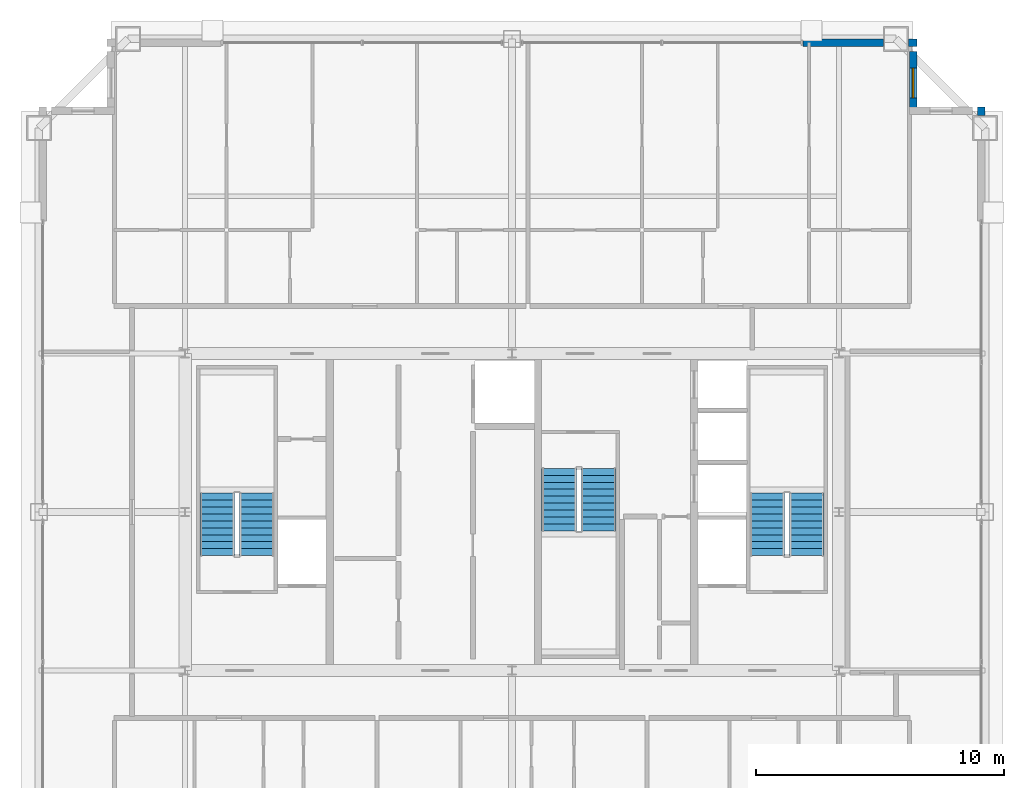
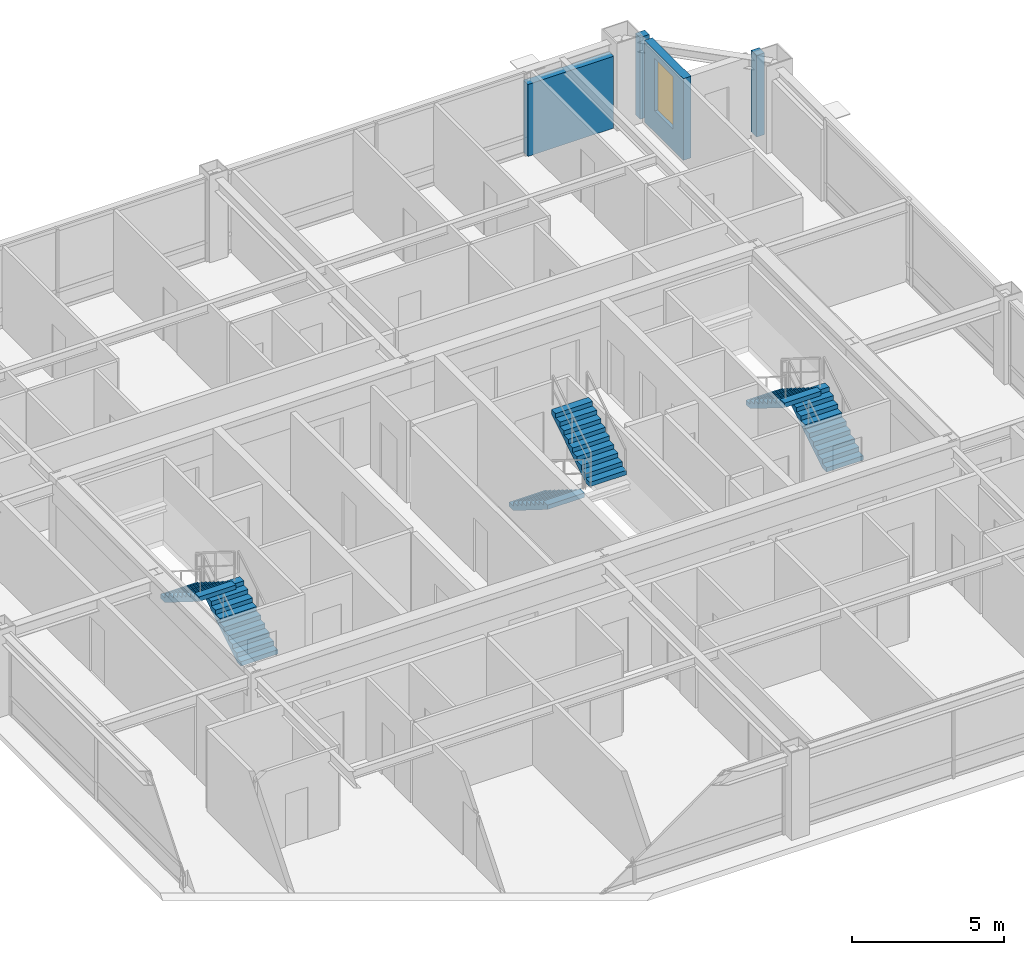
# One storey, part 34 of 35: 6 stair flights, 4 walls, 1 window, 1 opening, 3 elements without a shape of their own.
"""IFC4 building model written with IfcOpenShell, lengths in metres."""

import ifcopenshell
import ifcopenshell.guid

model = None  # the IFC model being written
_history = None  # IfcOwnerHistory: only IFC2X3 demands one
_inside = {}  # id of a spatial element -> (the spatial element, [elements in it])
_under = {}  # id of a project, library or spatial element -> (it, [spatial elements below it])
_declared = {}  # id of a project -> (the project, [libraries it declares])
_typed = {}  # id of a type object -> (the type object, [elements of that type])
_made_of = {}  # id of a material, layer set ... -> (it, [elements and type objects made of it])


def new_model(schema):
    """Start an empty IFC model of exactly this schema.

    Asked for "IFC4X3", IfcOpenShell would pick the latest addendum, in which some entities
    have other attributes; the version numbers below select the first issue.
    IFC2X3 requires an IfcOwnerHistory on every rooted entity: one is made here for all.
    """
    global model, _history
    if schema == "IFC4X3":
        model = ifcopenshell.file(schema_version=(4, 3, 0, 0))
    else:
        model = ifcopenshell.file(schema=schema)
    _inside.clear()
    _under.clear()
    _declared.clear()
    _typed.clear()
    _made_of.clear()
    _history = None
    if model.schema == "IFC2X3":
        org = make("IfcOrganization", Name="unknown")
        user = make(
            "IfcPersonAndOrganization",
            ThePerson=make("IfcPerson", FamilyName="unknown"),
            TheOrganization=org,
        )
        app = make(
            "IfcApplication",
            ApplicationDeveloper=org,
            Version="unknown",
            ApplicationFullName="unknown",
            ApplicationIdentifier="unknown",
        )
        _history = make(
            "IfcOwnerHistory",
            OwningUser=user,
            OwningApplication=app,
            ChangeAction="ADDED",
            CreationDate=0,
        )
    return model


def make(cls, **values):
    """One entity of the class cls with the attributes given. An attribute that is None is left unset."""
    return model.create_entity(
        cls, **{name: value for name, value in values.items() if value is not None}
    )


def rooted(cls, **values):
    """An entity with a GlobalId (a new one), such as an element, a storey or a relation."""
    return make(cls, GlobalId=ifcopenshell.guid.new(), OwnerHistory=_history, **values)


def si_unit(unit_type, name, prefix=None):
    """IfcSIUnit, for example si_unit("LENGTHUNIT", "METRE", prefix="MILLI")."""
    return make("IfcSIUnit", UnitType=unit_type, Prefix=prefix, Name=name)


def assignment(units):
    """IfcUnitAssignment: the units of a project."""
    return None if units is None else make("IfcUnitAssignment", Units=units)


def point(xyz):
    """IfcCartesianPoint."""
    return None if xyz is None else make("IfcCartesianPoint", Coordinates=xyz)


def direction(xyz):
    """IfcDirection."""
    return None if xyz is None else make("IfcDirection", DirectionRatios=xyz)


def frame(location, z_axis=None, x_axis=None):
    """IfcAxis2Placement3D, a coordinate frame: its origin and axes. An axis left out is left unset."""
    return make(
        "IfcAxis2Placement3D",
        Location=point(location),
        Axis=direction(z_axis),
        RefDirection=direction(x_axis),
    )


def frame_2d(location, x_axis=None):
    """IfcAxis2Placement2D, a coordinate frame in the plane: its origin and x axis."""
    return make(
        "IfcAxis2Placement2D", Location=point(location), RefDirection=direction(x_axis)
    )


def origin():
    """The frame at (0, 0, 0) with its axes left unset."""
    return frame((0.0, 0.0, 0.0))


def place(relative_to, where):
    """IfcLocalPlacement: puts the frame where relative to a parent placement (None: the world)."""
    return make(
        "IfcLocalPlacement", PlacementRelTo=relative_to, RelativePlacement=where
    )


def context(
    kind, dimensions, precision=None, world=None, true_north=None, identifier=None
):
    """IfcGeometricRepresentationContext, for example the 3D "Model" context."""
    return make(
        "IfcGeometricRepresentationContext",
        ContextIdentifier=identifier,
        ContextType=kind,
        CoordinateSpaceDimension=dimensions,
        Precision=precision,
        WorldCoordinateSystem=world,
        TrueNorth=true_north,
    )


def subcontext(parent, identifier, kind, view, scale=None):
    """IfcGeometricRepresentationSubContext, for example "Body" below "Model"."""
    return make(
        "IfcGeometricRepresentationSubContext",
        ContextIdentifier=identifier,
        ContextType=kind,
        ParentContext=parent,
        TargetScale=scale,
        TargetView=view,
    )


def project(units=None, contexts=None):
    """IfcProject with its units and contexts."""
    return rooted(
        "IfcProject",
        Name="project",
        RepresentationContexts=contexts,
        UnitsInContext=assignment(units),
    )


def spatial(cls, under=None, at=None, **own):
    """A site, building, storey or space (cls), placed at a placement, below another one or the project."""
    s = rooted(cls, ObjectPlacement=at, **own)
    if under is not None:
        _under.setdefault(under.id(), (under, []))[1].append(s)
    return s


def polyline(points):
    """IfcPolyline through the points."""
    return make("IfcPolyline", Points=[point(p) for p in points])


def profile(cls, at=None, kind="AREA", **sizes):
    """A parametric profile (cls). Its sizes go by their IFC names, for example OverallWidth=200.0."""
    return make(cls, ProfileType=kind, Position=at, **sizes)


def rectangle(**sizes):
    """IfcRectangleProfileDef."""
    return profile("IfcRectangleProfileDef", **sizes)


def outline(outer, holes=None, kind="AREA"):
    """IfcArbitraryClosedProfileDef: a profile drawn as a closed curve; with holes, ...WithVoids."""
    if holes is None:
        return make("IfcArbitraryClosedProfileDef", ProfileType=kind, OuterCurve=outer)
    return make(
        "IfcArbitraryProfileDefWithVoids",
        ProfileType=kind,
        OuterCurve=outer,
        InnerCurves=holes,
    )


def extrude(swept, where, along, depth):
    """IfcExtrudedAreaSolid: the profile swept, set in the frame where, extruded along a direction by depth."""
    return make(
        "IfcExtrudedAreaSolid",
        SweptArea=swept,
        Position=where,
        ExtrudedDirection=direction(along),
        Depth=depth,
    )


def shape(context_of_items, identifier, shape_type, items):
    """IfcShapeRepresentation: the items that make up one representation, for example the "Body"."""
    return make(
        "IfcShapeRepresentation",
        ContextOfItems=context_of_items,
        RepresentationIdentifier=identifier,
        RepresentationType=shape_type,
        Items=items,
    )


def source(mapping_origin, context_of_items, identifier, shape_type, items):
    """IfcRepresentationMap: a shape defined once, which mapped items show again and again."""
    return make(
        "IfcRepresentationMap",
        MappingOrigin=mapping_origin,
        MappedRepresentation=shape(context_of_items, identifier, shape_type, items),
    )


def transform(
    local_origin,
    x_axis=None,
    y_axis=None,
    z_axis=None,
    scale=None,
    scale2=None,
    scale3=None,
    uniform=True,
):
    """IfcCartesianTransformationOperator3D, or its non-uniform kind. x_axis, y_axis, z_axis: its Axis1, 2, 3."""
    if uniform:
        return make(
            "IfcCartesianTransformationOperator3D",
            Axis1=direction(x_axis),
            Axis2=direction(y_axis),
            LocalOrigin=point(local_origin),
            Scale=scale,
            Axis3=direction(z_axis),
        )
    return make(
        "IfcCartesianTransformationOperator3DnonUniform",
        Axis1=direction(x_axis),
        Axis2=direction(y_axis),
        LocalOrigin=point(local_origin),
        Scale=scale,
        Axis3=direction(z_axis),
        Scale2=scale2,
        Scale3=scale3,
    )


def mapped(mapping_source, mapping_target):
    """IfcMappedItem: shows the shape of a source again, moved by a transform."""
    return make(
        "IfcMappedItem", MappingSource=mapping_source, MappingTarget=mapping_target
    )


def material(Name=None, Category=None):
    """IfcMaterial."""
    return make("IfcMaterial", Name=Name, Category=Category)


def layer(
    of_material, thickness, ventilated=None, Name=None, Category=None, Priority=None
):
    """IfcMaterialLayer: one layer of a wall or slab, of a material (None: an air gap)."""
    return make(
        "IfcMaterialLayer",
        Material=of_material,
        LayerThickness=thickness,
        IsVentilated=ventilated,
        Name=Name,
        Category=Category,
        Priority=Priority,
    )


def layer_set(layers, Name=None):
    """IfcMaterialLayerSet."""
    return make("IfcMaterialLayerSet", MaterialLayers=layers, LayerSetName=Name)


def made_of(thing, what):
    """Note that an element or type object is made of a material, layer set ...; save() writes the relation."""
    if what is not None:
        _made_of.setdefault(what.id(), (what, []))[1].append(thing)
    return thing


def type_object(cls, material=None, **own):
    """A type object (cls), such as IfcWallType, which elements share."""
    return made_of(rooted(cls, **own), material)


def element(
    cls,
    number,
    at=None,
    inside=None,
    cuts=None,
    type_object=None,
    material=None,
    context=None,
    identifier="Body",
    shape_type=None,
    held_by="IfcProductDefinitionShape",
    body=None,
    shapes=None,
    **own,
):
    """One element of the class cls, such as IfcWall. Its Tag is "e" and its number.

    at: its placement. inside: the storey or other place that contains it. cuts: it is an
    opening in that element (IfcRelVoidsElement). A single representation is given by context,
    identifier, shape_type and body (its items); several are given by shapes. held_by: the class
    of the entity that holds the representations. save() writes the other relations.
    """
    e = rooted(cls, Tag="e%d" % number, ObjectPlacement=at, **own)
    if body is not None:
        shapes = [shape(context, identifier, shape_type, body)]
    if shapes is not None:
        e.Representation = make(held_by, Representations=shapes)
    if inside is not None:
        _inside.setdefault(inside.id(), (inside, []))[1].append(e)
    if cuts is not None:
        rooted(
            "IfcRelVoidsElement", RelatingBuildingElement=cuts, RelatedOpeningElement=e
        )
    if type_object is not None:
        _typed.setdefault(type_object.id(), (type_object, []))[1].append(e)
    return made_of(e, material)


def fill(opening, filler):
    """IfcRelFillsElement: the door or window that sits in an opening."""
    return rooted(
        "IfcRelFillsElement",
        RelatingOpeningElement=opening,
        RelatedBuildingElement=filler,
    )


def aggregate(whole, parts):
    """IfcRelAggregates: a whole, such as a stair, and the parts it consists of."""
    return rooted("IfcRelAggregates", RelatingObject=whole, RelatedObjects=parts)


def save(model, path):
    """Write the relations noted so far, then the file.

    IfcRelAggregates (storeys below a building ...), IfcRelContainedInSpatialStructure (elements
    in a storey), IfcRelDefinesByType, IfcRelAssociatesMaterial and IfcRelDeclares: one each for
    every whole, place, type object, material and project.
    """
    for whole, parts in _under.values():
        aggregate(whole, parts)
    for where, things in _inside.values():
        rooted(
            "IfcRelContainedInSpatialStructure",
            RelatedElements=things,
            RelatingStructure=where,
        )
    for kind, things in _typed.values():
        rooted("IfcRelDefinesByType", RelatedObjects=things, RelatingType=kind)
    for what, things in _made_of.values():
        rooted("IfcRelAssociatesMaterial", RelatedObjects=things, RelatingMaterial=what)
    for by, libraries in _declared.values():
        rooted("IfcRelDeclares", RelatingContext=by, RelatedDefinitions=libraries)
    model.write(path)


model = new_model("IFC4")

# Units and contexts
model_context = context("Model", 3, precision=1e-05, world=origin(), true_north=direction((0.0, 1.0)))
body_context = subcontext(model_context, "Body", "Model", "MODEL_VIEW")
ifc_project = project(units=[si_unit("LENGTHUNIT", "METRE"), si_unit("AREAUNIT", "SQUARE_METRE"), si_unit("VOLUMEUNIT", "CUBIC_METRE"), si_unit("PLANEANGLEUNIT", "RADIAN"), si_unit("MASSUNIT", "GRAM", prefix="KILO"), si_unit("THERMODYNAMICTEMPERATUREUNIT", "KELVIN"), si_unit("POWERUNIT", "WATT")], contexts=[model_context])

# Site, building, storey
site_placement = place(None, origin())
site = spatial("IfcSite", under=ifc_project, at=site_placement, CompositionType="ELEMENT")
building_placement = place(site_placement, origin())
building = spatial("IfcBuilding", under=site, at=building_placement, Name="Yuzanri Waterfront Tower", CompositionType="ELEMENT")
storey_placement = place(building_placement, frame((0.0, 0.0, 289.10009765625)))
storey = spatial("IfcBuildingStorey", under=building, at=storey_placement, Name="L77", CompositionType="ELEMENT", Elevation=289.10009765625)

# Wall, opening, window
ifc_material_1 = material(Name="Honed Chongqing Dark Basalt Stone", Category="masonry")
ifc_layer = layer(ifc_material_1, 0.300048828125)
ifc_layer_set = layer_set([ifc_layer], Name="Honed Chongqing Dark Basalt Stone")
wall_type = type_object("IfcWallType", Name="Bronze Rainscreen Insulated Spandrel Portal Wall 300", PredefinedType="SOLIDWALL", material=ifc_layer_set)
wall_1_placement = place(storey_placement, frame((53.199951171875, 41.85009765625, 0.0), z_axis=(0.0, 0.0, 1.0), x_axis=(0.0, 1.0, 0.0)))
wall_1 = element("IfcWall", 1, at=wall_1_placement, inside=storey, type_object=wall_type, Name="L77 Notched Corner Masonry Wall NE-Y", PredefinedType="SOLIDWALL", context=body_context, shape_type="SweptSolid", body=[
    extrude(rectangle(XDim=2.5498046875, YDim=0.300048828125, at=frame_2d((1.27490234375, 0.0))), origin(), (0.0, 0.0, 1.0), 3.27978515625),
])
opening_placement = place(wall_1_placement, frame((0.675048828125, 0.0, 0.85009765625)))
opening = element("IfcOpeningElement", 2, at=opening_placement, cuts=wall_1, Name="Opening WN-02", PredefinedType="OPENING", context=body_context, shape_type="SweptSolid", body=[
    extrude(rectangle(XDim=1.199951171875, YDim=2.10009765625, at=frame_2d((0.60009765625, 1.050048828125))), frame((0.0, 0.1650390625, 0.0), z_axis=(0.0, -1.0, 0.0), x_axis=(1.0, 0.0, 0.0)), (0.0, 0.0, 1.0), 0.329833984375),
])
ifc_material_2 = material(Name="Double-Silver Low-E Insulated Glass", Category="glass")
window_type = type_object("IfcWindowType", Name="Anodized Bronze Notched Corner Deep-Set Slot Window 1200x2100", PartitioningType="SINGLE_PANEL", PredefinedType="WINDOW", material=ifc_material_2)
shared_shape_1 = source(origin(), body_context, "Body", "SweptSolid", [
    extrude(rectangle(XDim=1.199951171875, YDim=2.10009765625, at=frame_2d((0.60009765625, 1.050048828125))), frame((0.0, 0.030029296875, 0.0), z_axis=(0.0, -1.0, 0.0), x_axis=(1.0, 0.0, 0.0)), (0.0, 0.0, 1.0), 0.06005859375),
])
window_placement = place(opening_placement, origin())
window = element("IfcWindow", 3, at=window_placement, inside=storey, type_object=window_type, Name="L77 Notched Corner Window NE-Y", OverallHeight=2.10009765625, OverallWidth=1.199951171875, PartitioningType="SINGLE_PANEL", PredefinedType="WINDOW", context=body_context, shape_type="MappedRepresentation", body=[
    mapped(shared_shape_1, transform((0.0, 0.0, 0.0), scale=1.0)),
])
fill(opening, window)

# Walls
shared_shape_2 = source(origin(), body_context, "Body", "SweptSolid", [
    extrude(rectangle(XDim=0.35009765625, YDim=0.300048828125, at=frame_2d((0.175048828125, 0.0))), origin(), (0.0, 0.0, 1.0), 3.27978515625),
])
wall_2_placement = place(storey_placement, frame((53.0, 44.75, 0.0), z_axis=(0.0, 0.0, 1.0), x_axis=(1.0, 0.0, 0.0)))
element("IfcWall", 4, at=wall_2_placement, inside=storey, type_object=wall_type, Name="L77 Corner Column Shoulder Return CNE", PredefinedType="SOLIDWALL", context=body_context, shape_type="MappedRepresentation", body=[
    mapped(shared_shape_2, transform((0.0, 0.0, 0.0), scale=1.0)),
])
shared_shape_3 = source(origin(), body_context, "Body", "SweptSolid", [
    extrude(rectangle(XDim=0.349853515625, YDim=0.300048828125, at=frame_2d((0.1748046875, 0.0))), origin(), (0.0, 0.0, 1.0), 3.27978515625),
])
wall_3_placement = place(storey_placement, frame((55.949951171875, 41.800048828125, 0.0), z_axis=(0.0, 0.0, 1.0), x_axis=(0.0, 1.0, 0.0)))
element("IfcWall", 5, at=wall_3_placement, inside=storey, type_object=wall_type, Name="L77 Corner Column Shoulder Return CEN", PredefinedType="SOLIDWALL", context=body_context, shape_type="MappedRepresentation", body=[
    mapped(shared_shape_3, transform((0.0, 0.0, 0.0), scale=1.0)),
])
shared_shape_4 = source(origin(), body_context, "Body", "SweptSolid", [
    extrude(rectangle(XDim=3.25, YDim=0.300048828125, at=frame_2d((1.625, 0.0))), origin(), (0.0, 0.0, 1.0), 2.885009765625),
])
wall_4_placement = place(storey_placement, frame((48.75, 44.75, 0.0), z_axis=(0.0, 0.0, 1.0), x_axis=(1.0, 0.0, 0.0)))
element("IfcWall", 6, at=wall_4_placement, inside=storey, type_object=wall_type, Name="L77 N Right Braced Masonry Shoulder", PredefinedType="SOLIDWALL", context=body_context, shape_type="MappedRepresentation", body=[
    mapped(shared_shape_4, transform((0.0, 0.0, 0.0), scale=1.0)),
])

# Stair, stair flights
ifc_material_3 = material(Name="Concrete C40", Category="concrete")
stair_type = type_object("IfcStairType", Name="Concrete C40 Core Dogleg Exit Stair", PredefinedType="HALF_TURN_STAIR", material=ifc_material_3)
stair_1_placement = place(storey_placement, origin())
stair_1 = element("IfcStair", 7, at=stair_1_placement, inside=storey, type_object=stair_type, Name="L77 Smoke-Proof Core Stair ST-01", PredefinedType="HALF_TURN_STAIR")
ifc_material_4 = material(Name="Concrete C40", Category="concrete")
stair_flight_type = type_object("IfcStairFlightType", Name="Concrete C40 Precast Stair Flight 1380", PredefinedType="STRAIGHT", material=ifc_material_4)
shared_shape_5 = source(origin(), body_context, "Body", "SweptSolid", [
    extrude(outline(polyline([(0.0, 0.0), (0.0, 0.175048828125), (0.280029296875, 0.175048828125), (0.280029296875, 0.35009765625), (0.56005859375, 0.35009765625), (0.56005859375, 0.52490234375), (0.840087890625, 0.52490234375), (0.840087890625, 0.699951171875), (1.1201171875, 0.699951171875), (1.1201171875, 0.875), (1.39990234375, 0.875), (1.39990234375, 1.050048828125), (1.679931640625, 1.050048828125), (1.679931640625, 1.22509765625), (1.9599609375, 1.22509765625), (1.9599609375, 1.39990234375), (2.239990234375, 1.39990234375), (2.239990234375, 1.574951171875), (2.52001953125, 1.574951171875), (2.52001953125, 1.75), (2.52001953125, 1.398193359375), (0.28271484375, 0.0), (0.0, 0.0)])), frame((0.0, 0.699951171875, 0.0), z_axis=(0.0, -1.0, 0.0), x_axis=(1.0, 0.0, 0.0)), (0.0, 0.0, 1.0), 1.39990234375),
])
stair_flight_1_placement = place(storey_placement, frame((26.699951171875, 24.0400390625, 0.0), z_axis=(0.0, 0.0, 1.0), x_axis=(0.0, 1.0, 0.0)))
stair_flight_1 = element("IfcStairFlight", 8, at=stair_flight_1_placement, type_object=stair_flight_type, Name="ST-01 flight 1", NumberOfRisers=10, NumberOfTreads=9, PredefinedType="STRAIGHT", RiserHeight=0.175, TreadLength=0.28, context=body_context, shape_type="MappedRepresentation", body=[
    mapped(shared_shape_5, transform((0.0, 0.0, 0.0), scale=1.0)),
])
stair_flight_2_placement = place(storey_placement, frame((25.10009765625, 26.56005859375, 1.75), z_axis=(0.0, 0.0, 1.0), x_axis=(0.0, -1.0, 0.0)))
stair_flight_2 = element("IfcStairFlight", 9, at=stair_flight_2_placement, type_object=stair_flight_type, Name="ST-01 flight 2", NumberOfRisers=10, NumberOfTreads=9, PredefinedType="STRAIGHT", RiserHeight=0.175, TreadLength=0.28, context=body_context, shape_type="MappedRepresentation", body=[
    mapped(shared_shape_5, transform((0.0, 0.0, 0.0), scale=1.0)),
])
aggregate(stair_1, [stair_flight_1, stair_flight_2])

stair_2_placement = place(storey_placement, origin())
stair_2 = element("IfcStair", 10, at=stair_2_placement, inside=storey, type_object=stair_type, Name="L77 Smoke-Proof Core Stair ST-02", PredefinedType="HALF_TURN_STAIR")
stair_flight_3_placement = place(storey_placement, frame((48.89990234375, 24.0400390625, 0.0), z_axis=(0.0, 0.0, 1.0), x_axis=(0.0, 1.0, 0.0)))
stair_flight_3 = element("IfcStairFlight", 11, at=stair_flight_3_placement, type_object=stair_flight_type, Name="ST-02 flight 1", NumberOfRisers=10, NumberOfTreads=9, PredefinedType="STRAIGHT", RiserHeight=0.175, TreadLength=0.28, context=body_context, shape_type="MappedRepresentation", body=[
    mapped(shared_shape_5, transform((0.0, 0.0, 0.0), scale=1.0)),
])
stair_flight_4_placement = place(storey_placement, frame((47.300048828125, 26.56005859375, 1.75), z_axis=(0.0, 0.0, 1.0), x_axis=(0.0, -1.0, 0.0)))
stair_flight_4 = element("IfcStairFlight", 12, at=stair_flight_4_placement, type_object=stair_flight_type, Name="ST-02 flight 2", NumberOfRisers=10, NumberOfTreads=9, PredefinedType="STRAIGHT", RiserHeight=0.175, TreadLength=0.28, context=body_context, shape_type="MappedRepresentation", body=[
    mapped(shared_shape_5, transform((0.0, 0.0, 0.0), scale=1.0)),
])
aggregate(stair_2, [stair_flight_3, stair_flight_4])

stair_3_placement = place(storey_placement, origin())
stair_3 = element("IfcStair", 13, at=stair_3_placement, inside=storey, type_object=stair_type, Name="L77 Smoke-Proof Core Stair ST-03", PredefinedType="HALF_TURN_STAIR")
stair_flight_5_placement = place(storey_placement, frame((38.89990234375, 27.56005859375, 0.0), z_axis=(0.0, 0.0, 1.0), x_axis=(0.0, -1.0, 0.0)))
stair_flight_5 = element("IfcStairFlight", 14, at=stair_flight_5_placement, type_object=stair_flight_type, Name="ST-03 flight 1", NumberOfRisers=10, NumberOfTreads=9, PredefinedType="STRAIGHT", RiserHeight=0.175, TreadLength=0.28, context=body_context, shape_type="MappedRepresentation", body=[
    mapped(shared_shape_5, transform((0.0, 0.0, 0.0), scale=1.0)),
])
stair_flight_6_placement = place(storey_placement, frame((40.5, 25.0400390625, 1.75), z_axis=(0.0, 0.0, 1.0), x_axis=(0.0, 1.0, 0.0)))
stair_flight_6 = element("IfcStairFlight", 15, at=stair_flight_6_placement, type_object=stair_flight_type, Name="ST-03 flight 2", NumberOfRisers=10, NumberOfTreads=9, PredefinedType="STRAIGHT", RiserHeight=0.175, TreadLength=0.28, context=body_context, shape_type="MappedRepresentation", body=[
    mapped(shared_shape_5, transform((0.0, 0.0, 0.0), scale=1.0)),
])
aggregate(stair_3, [stair_flight_5, stair_flight_6])

save(model, "model.ifc")
